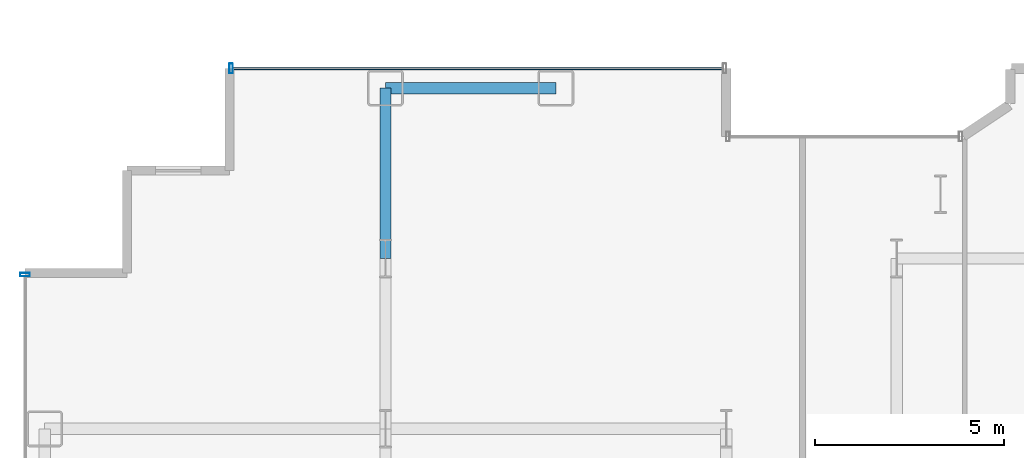
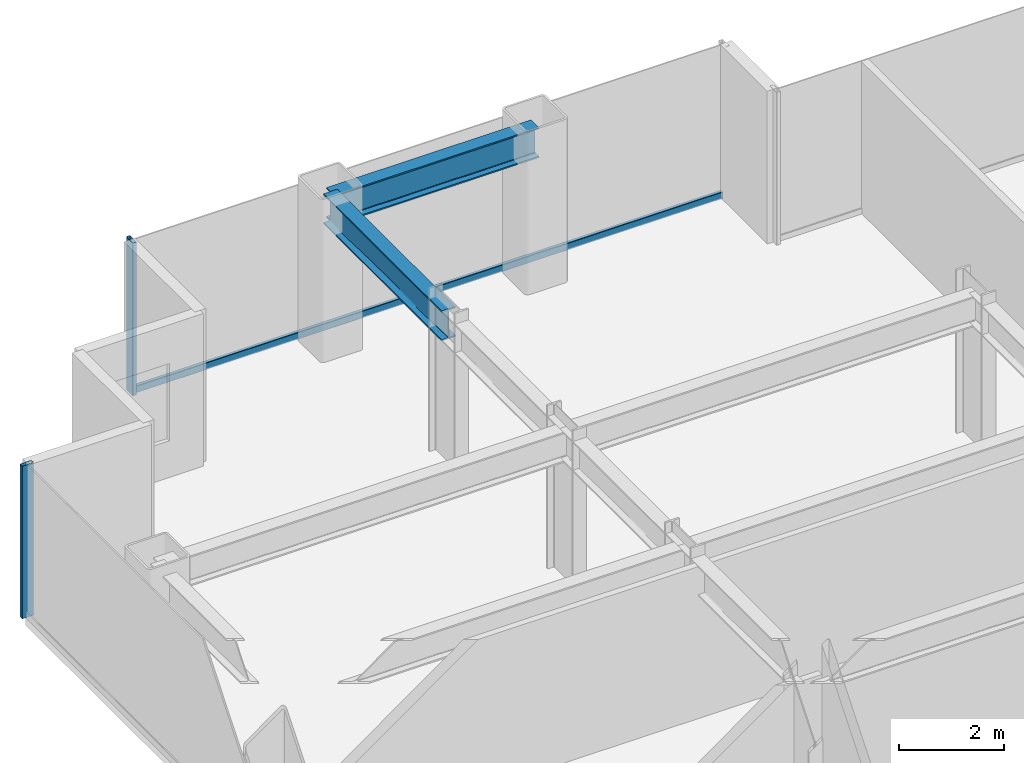
# One storey, part 9 of 26: 3 members, 2 beams, 2 elements without a shape of their own.
"""IFC4 building model written with IfcOpenShell, lengths in metres."""

from ifc_helpers import new_model, si_unit, direction, frame, origin, origin_2d, place, context, subcontext, project, spatial, hollow_rectangle, i_section, extrude, source, transform, mapped, material, layer, layer_set, material_profile, profile_set, type_object, element, aggregate, save


model = new_model("IFC4")

# Units and contexts
model_context = context("Model", 3, precision=1e-05, world=origin(), true_north=direction((0.0, 1.0)))
body_context = subcontext(model_context, "Body", "Model", "MODEL_VIEW")
ifc_project = project(units=[si_unit("LENGTHUNIT", "METRE"), si_unit("AREAUNIT", "SQUARE_METRE"), si_unit("VOLUMEUNIT", "CUBIC_METRE"), si_unit("PLANEANGLEUNIT", "RADIAN"), si_unit("MASSUNIT", "GRAM", prefix="KILO")], contexts=[model_context])

# Site, building, storey
site_placement = place(None, origin())
site = spatial("IfcSite", under=ifc_project, at=site_placement, CompositionType="ELEMENT")
building_placement = place(site_placement, origin())
building = spatial("IfcBuilding", under=site, at=building_placement, Name="Nefas-Gora Pilgrimage Tower", CompositionType="ELEMENT")
storey_placement = place(building_placement, frame((0.0, 0.0, 94.60009765625)))
storey = spatial("IfcBuildingStorey", under=building, at=storey_placement, Name="L22", CompositionType="ELEMENT", Elevation=94.60009765625)

# Beams
ifc_material_1 = material(Name="Steel S355", Category="steel")
ifc_material_profile_1 = material_profile(ifc_material_1, i_section(OverallWidth=0.300048828125, OverallDepth=0.699951171875, WebThickness=0.01708984375, FlangeThickness=0.031982421875, FilletRadius=0.027099609375, at=origin_2d()), Name="HEB 700")
ifc_profile_set_1 = profile_set([ifc_material_profile_1], Name="Steel S355")
beam_type_1 = type_object("IfcBeamType", Name="BM-SPN-HEB600", PredefinedType="SPANDREL", material=ifc_profile_set_1)
shared_shape_1 = source(origin(), body_context, "Body", "SweptSolid", [
    extrude(i_section(OverallWidth=0.300048828125, OverallDepth=0.699951171875, WebThickness=0.01708984375, FlangeThickness=0.031982421875, FilletRadius=0.027099609375, at=origin_2d()), origin(), (0.0, 0.0, 1.0), 4.5),
])
beam_1_placement = place(storey_placement, frame((-24.75, 22.5, 3.199951171875), z_axis=(1.0, 0.0, 0.0), x_axis=(0.0, 1.0, 0.0)))
element("IfcBeam", 1, at=beam_1_placement, inside=storey, type_object=beam_type_1, Name="L22 SP-01 beam", PredefinedType="SPANDREL", context=body_context, shape_type="MappedRepresentation", body=[
    mapped(shared_shape_1, transform((0.0, 0.0, 0.0), x_axis=(1.0, 0.0, 0.0), y_axis=(0.0, 1.0, 0.0), z_axis=(0.0, 0.0, 1.0), scale=1.0)),
])
ifc_material_profile_2 = material_profile(ifc_material_1, i_section(OverallWidth=0.300048828125, OverallDepth=0.699951171875, WebThickness=0.01708984375, FlangeThickness=0.031982421875, FilletRadius=0.027099609375, at=origin_2d()), Name="HEB 700")
ifc_profile_set_2 = profile_set([ifc_material_profile_2], Name="Steel S355")
beam_type_2 = type_object("IfcBeamType", Name="BM-GIR-HEB700", PredefinedType="BEAM", material=ifc_profile_set_2)
shared_shape_2 = source(origin(), body_context, "Body", "SweptSolid", [
    extrude(i_section(OverallWidth=0.300048828125, OverallDepth=0.699951171875, WebThickness=0.01708984375, FlangeThickness=0.031982421875, FilletRadius=0.027099609375, at=origin_2d()), origin(), (0.0, 0.0, 1.0), 4.5),
])
beam_2_placement = place(storey_placement, frame((-24.75, 18.0, 3.199951171875), z_axis=(0.0, 1.0, 0.0), x_axis=(-1.0, 0.0, 0.0)))
element("IfcBeam", 2, at=beam_2_placement, inside=storey, type_object=beam_type_2, Name="L22 G-02 beam", PredefinedType="BEAM", context=body_context, shape_type="MappedRepresentation", body=[
    mapped(shared_shape_2, transform((0.0, 0.0, 0.0), x_axis=(1.0, 0.0, 0.0), y_axis=(0.0, 1.0, 0.0), z_axis=(0.0, 0.0, 1.0), scale=1.0)),
])

# Curtain wall, members
ifc_material_2 = material(Name="Dark ceramic-fritted solar-control aluminium-glass curtain wall", Category="aluminium")
ifc_layer = layer(ifc_material_2, 0.219970703125)
ifc_layer_set = layer_set([ifc_layer], Name="Dark ceramic-fritted solar-control aluminium-glass curtain wall")
curtain_wall_type = type_object("IfcCurtainWallType", Name="CW-SYS-2", PredefinedType="NOTDEFINED", material=ifc_layer_set)
curtain_wall_1_placement = place(storey_placement, origin())
curtain_wall_1 = element("IfcCurtainWall", 3, at=curtain_wall_1_placement, inside=storey, type_object=curtain_wall_type, Name="L22 Unitised Curtain Wall CW2", PredefinedType="NOTDEFINED")
ifc_material_3 = material(Name="Anodised architectural aluminium", Category="aluminium")
ifc_material_profile_3 = material_profile(ifc_material_3, hollow_rectangle(XDim=0.080078125, YDim=0.159912109375, WallThickness=0.00439453125, InnerFilletRadius=0.00439453125, OuterFilletRadius=0.009033203125, at=origin_2d()), Name="ALU TRANSOM 80x160")
ifc_profile_set_3 = profile_set([ifc_material_profile_3], Name="Anodised architectural aluminium")
member_type_1 = type_object("IfcMemberType", Name="CWM-TRN-2", PredefinedType="USERDEFINED", material=ifc_profile_set_3)
shared_shape_3 = source(origin(), body_context, "Body", "SweptSolid", [
    extrude(hollow_rectangle(XDim=0.080078125, YDim=0.159912109375, WallThickness=0.00439453125, InnerFilletRadius=0.00439453125, OuterFilletRadius=0.009033203125, at=origin_2d()), origin(), (0.0, 0.0, 1.0), 12.93994140625),
])
member_1_placement = place(storey_placement, frame((-15.840087890625, 23.02001953125, 0.0498046875), z_axis=(-1.0, 0.0, 0.0), x_axis=(0.0, -1.0, 0.0)))
member_1 = element("IfcMember", 4, at=member_1_placement, type_object=member_type_1, Name="CW2 Spandrel Transom", ObjectType="TRANSOM", PredefinedType="USERDEFINED", context=body_context, shape_type="MappedRepresentation", body=[
    mapped(shared_shape_3, transform((0.0, 0.0, 0.0), x_axis=(1.0, 0.0, 0.0), y_axis=(0.0, 1.0, 0.0), z_axis=(0.0, 0.0, 1.0), scale=1.0)),
])
ifc_material_profile_4 = material_profile(ifc_material_3, hollow_rectangle(XDim=0.090087890625, YDim=0.260009765625, WallThickness=0.006103515625, InnerFilletRadius=0.006103515625, OuterFilletRadius=0.011962890625, at=origin_2d()), Name="ALU MULLION 90x260")
ifc_profile_set_4 = profile_set([ifc_material_profile_4], Name="Anodised architectural aluminium")
member_type_2 = type_object("IfcMemberType", Name="CWM-MUL-2", PredefinedType="MULLION", material=ifc_profile_set_4)
shared_shape_4 = source(origin(), body_context, "Body", "SweptSolid", [
    extrude(hollow_rectangle(XDim=0.090087890625, YDim=0.260009765625, WallThickness=0.006103515625, InnerFilletRadius=0.006103515625, OuterFilletRadius=0.011962890625, at=origin_2d()), origin(), (0.0, 0.0, 1.0), 3.5498046875),
])
member_2_placement = place(storey_placement, frame((-28.824951171875, 23.02001953125, 0.0), z_axis=(0.0, 0.0, 1.0), x_axis=(-1.0, 0.0, 0.0)))
member_2 = element("IfcMember", 5, at=member_2_placement, type_object=member_type_2, Name="CW2 Mullion 2", PredefinedType="MULLION", context=body_context, shape_type="MappedRepresentation", body=[
    mapped(shared_shape_4, transform((0.0, 0.0, 0.0), x_axis=(1.0, 0.0, 0.0), y_axis=(0.0, 1.0, 0.0), z_axis=(0.0, 0.0, 1.0), scale=1.0)),
])
aggregate(curtain_wall_1, [member_2, member_1])

# Curtain wall, member
curtain_wall_2_placement = place(storey_placement, origin())
curtain_wall_2 = element("IfcCurtainWall", 6, at=curtain_wall_2_placement, inside=storey, type_object=curtain_wall_type, Name="L22 Unitised Curtain Wall CW2", PredefinedType="NOTDEFINED")
member_3_placement = place(storey_placement, frame((-34.27001953125, 17.574951171875, 0.0), z_axis=(0.0, 0.0, 1.0), x_axis=(0.0, -1.0, 0.0)))
member_3 = element("IfcMember", 7, at=member_3_placement, type_object=member_type_2, Name="CW2 Mullion 1", PredefinedType="MULLION", context=body_context, shape_type="MappedRepresentation", body=[
    mapped(shared_shape_4, transform((0.0, 0.0, 0.0), x_axis=(1.0, 0.0, 0.0), y_axis=(0.0, 1.0, 0.0), z_axis=(0.0, 0.0, 1.0), scale=1.0)),
])
aggregate(curtain_wall_2, [member_3])

save(model, "model.ifc")
